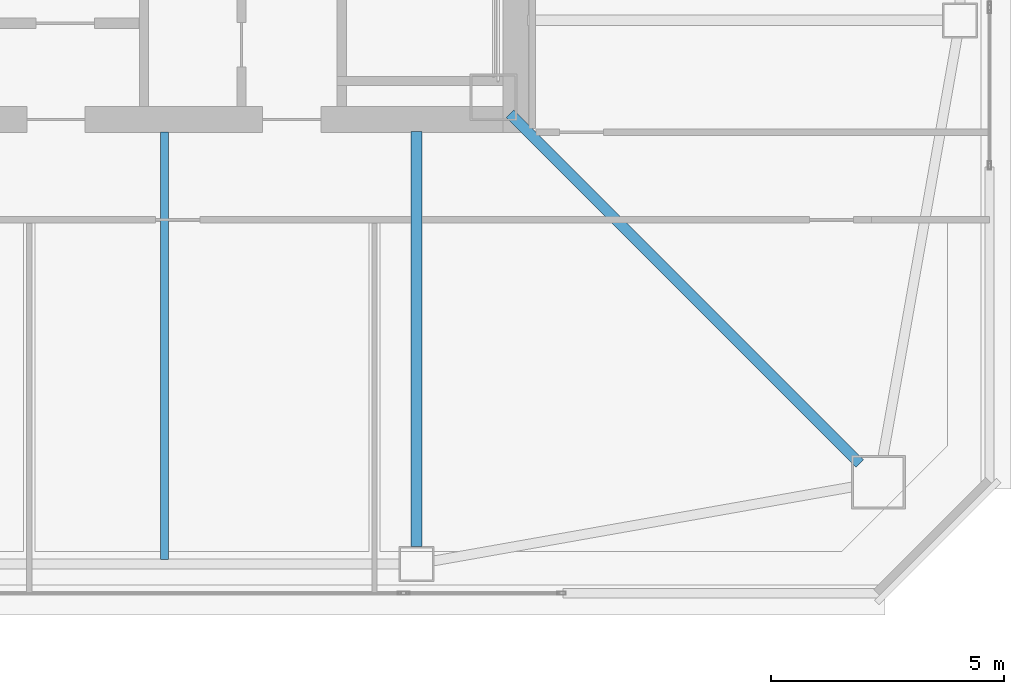
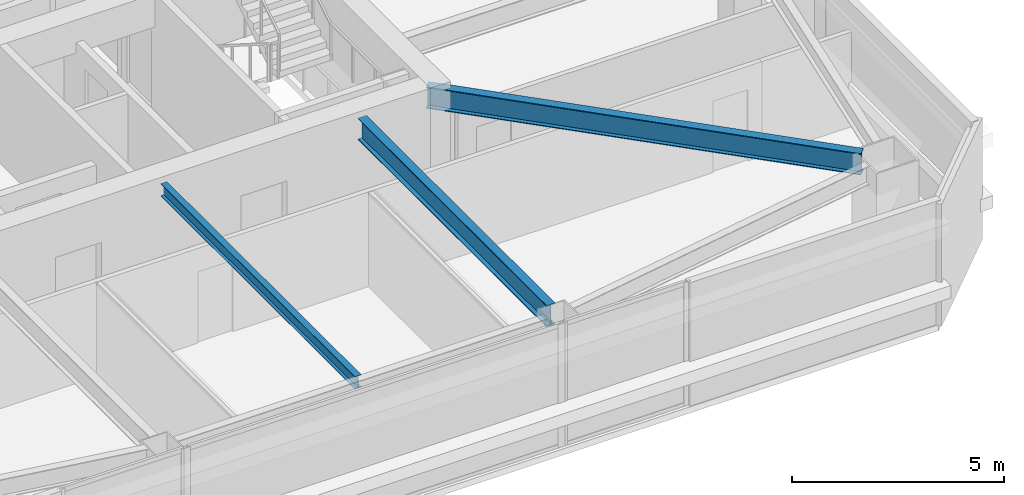
# One storey, part 7 of 42: 3 beams.
"""IFC4 building model written with IfcOpenShell, lengths in metres."""

from ifc_helpers import new_model, si_unit, direction, frame, origin, origin_2d, place, context, subcontext, project, spatial, i_section, extrude, material, material_profile, profile_set, type_object, element, save


model = new_model("IFC4")

# Units and contexts
model_context = context("Model", 3, precision=1e-05, world=origin(), true_north=direction((0.0, 1.0)))
body_context = subcontext(model_context, "Body", "Model", "MODEL_VIEW")
ifc_project = project(units=[si_unit("LENGTHUNIT", "METRE"), si_unit("AREAUNIT", "SQUARE_METRE"), si_unit("VOLUMEUNIT", "CUBIC_METRE"), si_unit("PLANEANGLEUNIT", "RADIAN"), si_unit("MASSUNIT", "GRAM", prefix="KILO")], contexts=[model_context])

# Site, building, storey
site_placement = place(None, origin())
site = spatial("IfcSite", under=ifc_project, at=site_placement, CompositionType="ELEMENT")
building_placement = place(site_placement, origin())
building = spatial("IfcBuilding", under=site, at=building_placement, Name="Tashvorn Skyway Center", CompositionType="ELEMENT")
storey_placement = place(building_placement, frame((0.0, 0.0, 164.10009765625)))
storey = spatial("IfcBuildingStorey", under=building, at=storey_placement, Name="L44", CompositionType="ELEMENT", Elevation=164.10009765625)

# Beams
ifc_material = material(Name="Steel ASTM A992 Grade 50", Category="steel")
ifc_material_profile_1 = material_profile(ifc_material, i_section(OverallWidth=0.22998046875, OverallDepth=0.616943359375, WebThickness=0.01318359375, FlangeThickness=0.022216796875, at=origin_2d()), Name="W24X94")
ifc_profile_set_1 = profile_set([ifc_material_profile_1], Name="Steel ASTM A992 Grade 50")
beam_type_1 = type_object("IfcBeamType", Name="BM-BEAM-W24X94", PredefinedType="BEAM", material=ifc_profile_set_1)
beam_1_placement = place(storey_placement, frame((56.89697265625, 17.10302734375, 3.0615234375), z_axis=(-0.707106781187, 0.707106781187, 0.0), x_axis=(-0.707106781187, -0.707106781187, 0.0)))
element("IfcBeam", 1, at=beam_1_placement, inside=storey, type_object=beam_type_1, Name="Tower 1 L44 Primary Floor Girder MC-SE", PredefinedType="BEAM", context=body_context, shape_type="SweptSolid", body=[
    extrude(i_section(OverallWidth=0.22998046875, OverallDepth=0.616943359375, WebThickness=0.01318359375, FlangeThickness=0.022216796875, at=origin_2d()), origin(), (0.0, 0.0, 1.0), 10.6025390625),
])
beam_2_placement = place(storey_placement, frame((47.39990234375, 15.320068359375, 3.0615234375), z_axis=(0.0, 1.0, 0.0), x_axis=(-1.0, 0.0, 0.0)))
element("IfcBeam", 2, at=beam_2_placement, inside=storey, type_object=beam_type_1, Name="Tower 1 L44 Primary Floor Girder FC-S2", PredefinedType="BEAM", context=body_context, shape_type="SweptSolid", body=[
    extrude(i_section(OverallWidth=0.22998046875, OverallDepth=0.616943359375, WebThickness=0.01318359375, FlangeThickness=0.022216796875, at=origin_2d()), origin(), (0.0, 0.0, 1.0), 8.89990234375),
])
ifc_material_profile_2 = material_profile(ifc_material, i_section(OverallWidth=0.1708984375, OverallDepth=0.35498046875, WebThickness=0.007080078125, FlangeThickness=0.01171875, at=origin_2d()), Name="W14X34")
ifc_profile_set_2 = profile_set([ifc_material_profile_2], Name="Steel ASTM A992 Grade 50")
beam_type_2 = type_object("IfcBeamType", Name="BM-JOIST-W14X34", PredefinedType="JOIST", material=ifc_profile_set_2)
beam_3_placement = place(storey_placement, frame((42.0, 24.2099609375, 3.1923828125), z_axis=(0.0, -1.0, 0.0), x_axis=(1.0, 0.0, 0.0)))
element("IfcBeam", 3, at=beam_3_placement, inside=storey, type_object=beam_type_2, Name="Tower 1 L44 Secondary Composite Joist JS", PredefinedType="JOIST", context=body_context, shape_type="SweptSolid", body=[
    extrude(i_section(OverallWidth=0.1708984375, OverallDepth=0.35498046875, WebThickness=0.007080078125, FlangeThickness=0.01171875, at=origin_2d()), origin(), (0.0, 0.0, 1.0), 9.162353515625),
])

save(model, "model.ifc")
